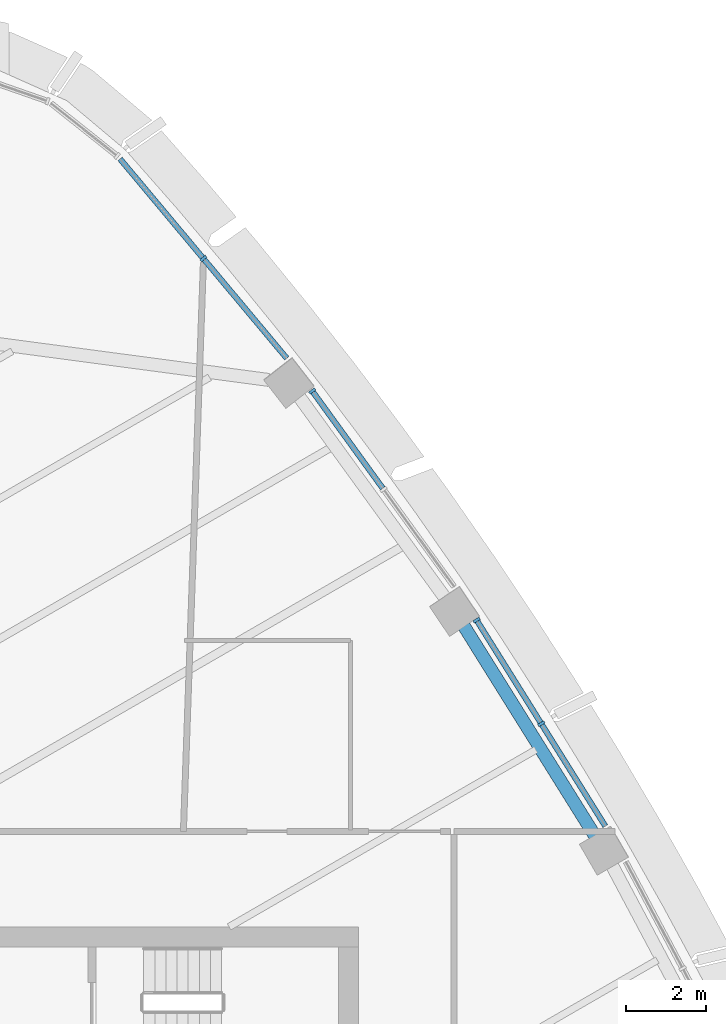
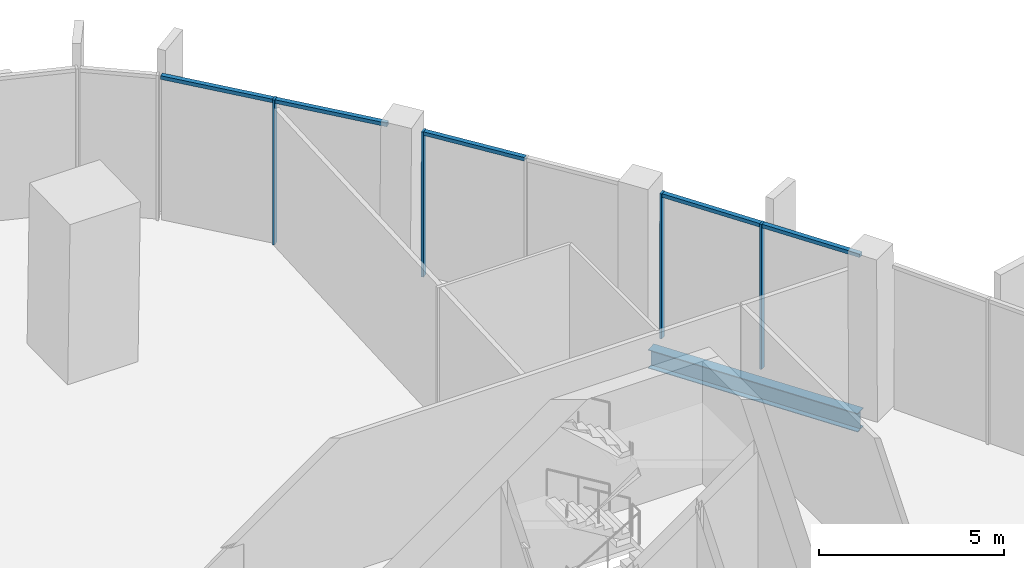
# One storey, part 6 of 19: 9 members, 1 beam, 3 elements without a shape of their own.
"""IFC4 building model written with IfcOpenShell, lengths in metres."""

from ifc_helpers import new_model, si_unit, direction, frame, origin, origin_2d, place, context, subcontext, project, spatial, rectangle, i_section, extrude, material, layer, layer_set, material_profile, profile_set, type_object, element, aggregate, save


model = new_model("IFC4")

# Units and contexts
model_context = context("Model", 3, precision=1e-05, world=origin(), true_north=direction((0.0, 1.0)))
body_context = subcontext(model_context, "Body", "Model", "MODEL_VIEW")
ifc_project = project(units=[si_unit("LENGTHUNIT", "METRE"), si_unit("AREAUNIT", "SQUARE_METRE"), si_unit("VOLUMEUNIT", "CUBIC_METRE"), si_unit("PLANEANGLEUNIT", "RADIAN"), si_unit("MASSUNIT", "GRAM", prefix="KILO")], contexts=[model_context])

# Site, building, storey
site_placement = place(None, origin())
site = spatial("IfcSite", under=ifc_project, at=site_placement, CompositionType="ELEMENT")
building_placement = place(site_placement, origin())
building = spatial("IfcBuilding", under=site, at=building_placement, Name="Sierra Prisma Convention Tower", CompositionType="ELEMENT")
storey_placement = place(building_placement, frame((0.0, 0.0, 319.0)))
storey = spatial("IfcBuildingStorey", under=building, at=storey_placement, Name="L73", CompositionType="ELEMENT", Elevation=319.0)

# Curtain wall, members
ifc_material_1 = material(Name="Aluminium and glass curtain wall", Category="aluminium")
ifc_layer = layer(ifc_material_1, 0.179931640625)
ifc_layer_set = layer_set([ifc_layer], Name="CW-1 Plain shaft curtain wall")
curtain_wall_type = type_object("IfcCurtainWallType", Name="CW-1 Plain shaft curtain wall", PredefinedType="NOTDEFINED", material=ifc_layer_set)
curtain_wall_1_placement = place(storey_placement, origin())
curtain_wall_1 = element("IfcCurtainWall", 1, at=curtain_wall_1_placement, inside=storey, type_object=curtain_wall_type, Name="CW-1 NE4 L73", PredefinedType="NOTDEFINED")
ifc_material_2 = material(Name="Aluminium 6063-T6 bronze anodised", Category="aluminium")
ifc_material_profile_1 = material_profile(ifc_material_2, rectangle(XDim=0.179931640625, YDim=0.070068359375, at=origin_2d()), Name="ALU MULLION 70x180")
ifc_profile_set_1 = profile_set([ifc_material_profile_1], Name="Aluminium 6063-T6 bronze anodised")
member_type_1 = type_object("IfcMemberType", Name="CW mullion bronze", PredefinedType="MULLION", material=ifc_profile_set_1)
member_1_placement = place(storey_placement, frame((15.599609375, 13.109130859375, 0.0), z_axis=(0.0, 0.0, 1.0), x_axis=(-0.848233000795, -0.529623240013, 0.0)))
member_1 = element("IfcMember", 2, at=member_1_placement, type_object=member_type_1, Name="CW-1 mullion NE4.2", PredefinedType="MULLION", context=body_context, shape_type="SweptSolid", body=[
    extrude(rectangle(XDim=0.179931640625, YDim=0.070068359375, at=origin_2d()), origin(), (0.0, 0.0, 1.0), 4.800048828125),
])
member_2_placement = place(storey_placement, frame((13.9736328125, 15.71337890625, 0.0), z_axis=(0.0, 0.0, 1.0), x_axis=(-0.848233000795, -0.529623240013, 0.0)))
member_2 = element("IfcMember", 3, at=member_2_placement, type_object=member_type_1, Name="CW-1 mullion NE4.3", PredefinedType="MULLION", context=body_context, shape_type="SweptSolid", body=[
    extrude(rectangle(XDim=0.179931640625, YDim=0.070068359375, at=origin_2d()), origin(), (0.0, 0.0, 1.0), 4.800048828125),
])

# Curtain wall, member
curtain_wall_2_placement = place(storey_placement, origin())
curtain_wall_2 = element("IfcCurtainWall", 4, at=curtain_wall_2_placement, inside=storey, type_object=curtain_wall_type, Name="CW-1 NE5 L73", PredefinedType="NOTDEFINED")
member_3_placement = place(storey_placement, frame((9.839599609375, 21.474609375, 0.0), z_axis=(0.0, 0.0, 1.0), x_axis=(-0.80963201009, -0.586937823145, 0.0)))
member_3 = element("IfcMember", 5, at=member_3_placement, type_object=member_type_1, Name="CW-1 mullion NE5.3", PredefinedType="MULLION", context=body_context, shape_type="SweptSolid", body=[
    extrude(rectangle(XDim=0.179931640625, YDim=0.070068359375, at=origin_2d()), origin(), (0.0, 0.0, 1.0), 4.800048828125),
])

curtain_wall_3_placement = place(storey_placement, origin())
curtain_wall_3 = element("IfcCurtainWall", 6, at=curtain_wall_3_placement, inside=storey, type_object=curtain_wall_type, Name="CW-1 NE6 L73", PredefinedType="NOTDEFINED")
member_4_placement = place(storey_placement, frame((7.101806640625, 24.8056640625, 0.0), z_axis=(0.0, 0.0, 1.0), x_axis=(-0.767165028207, -0.641449779403, 0.0)))
member_4 = element("IfcMember", 7, at=member_4_placement, type_object=member_type_1, Name="CW-1 mullion NE6.2", PredefinedType="MULLION", context=body_context, shape_type="SweptSolid", body=[
    extrude(rectangle(XDim=0.179931640625, YDim=0.070068359375, at=origin_2d()), origin(), (0.0, 0.0, 1.0), 4.800048828125),
])

# Member
ifc_material_3 = material(Name="Aluminium 6063-T6 bronze anodised", Category="aluminium")
ifc_material_profile_2 = material_profile(ifc_material_3, rectangle(XDim=0.139892578125, YDim=0.1201171875, at=origin_2d()), Name="ALU TRANSOM 120x140")
ifc_profile_set_2 = profile_set([ifc_material_profile_2], Name="Aluminium 6063-T6 bronze anodised")
member_type_2 = type_object("IfcMemberType", Name="CW transom bronze", PredefinedType="USERDEFINED", material=ifc_profile_set_2)
member_5_placement = place(storey_placement, frame((17.207275390625, 10.53466796875, 4.739990234375), z_axis=(-0.529647808083, 0.848217660387, 0.0), x_axis=(-0.848217660387, -0.529647808083, 0.0)))
member_5 = element("IfcMember", 8, at=member_5_placement, type_object=member_type_2, Name="CW-1 transom NE4.1", ObjectType="TRANSOM", PredefinedType="USERDEFINED", context=body_context, shape_type="SweptSolid", body=[
    extrude(rectangle(XDim=0.139892578125, YDim=0.1201171875, at=origin_2d()), origin(), (0.0, 0.0, 1.0), 3.000244140625),
])

member_6_placement = place(storey_placement, frame((15.5810546875, 13.138916015625, 4.739990234375), z_axis=(-0.529589259606, 0.848254216677, 0.0), x_axis=(-0.848254216677, -0.529589259606, 0.0)))
member_6 = element("IfcMember", 9, at=member_6_placement, type_object=member_type_2, Name="CW-1 transom NE4.2", ObjectType="TRANSOM", PredefinedType="USERDEFINED", context=body_context, shape_type="SweptSolid", body=[
    extrude(rectangle(XDim=0.139892578125, YDim=0.1201171875, at=origin_2d()), origin(), (0.0, 0.0, 1.0), 3.000244140625),
])

aggregate(curtain_wall_1, [member_1, member_2, member_5, member_6])

member_7_placement = place(storey_placement, frame((11.612060546875, 19.029296875, 4.739990234375), z_axis=(-0.586887157533, 0.8096687374, 0.0), x_axis=(-0.8096687374, -0.586887157533, 0.0)))
member_7 = element("IfcMember", 10, at=member_7_placement, type_object=member_type_2, Name="CW-1 transom NE5.2", ObjectType="TRANSOM", PredefinedType="USERDEFINED", context=body_context, shape_type="SweptSolid", body=[
    extrude(rectangle(XDim=0.139892578125, YDim=0.1201171875, at=origin_2d()), origin(), (0.0, 0.0, 1.0), 2.985107421875),
])

aggregate(curtain_wall_2, [member_3, member_7])

member_8_placement = place(storey_placement, frame((9.19677734375, 22.300048828125, 4.739990234375), z_axis=(-0.641439595197, 0.767173543413, 0.0), x_axis=(-0.767173543413, -0.641439595197, 0.0)))
member_8 = element("IfcMember", 11, at=member_8_placement, type_object=member_type_2, Name="CW-1 transom NE6.1", ObjectType="TRANSOM", PredefinedType="USERDEFINED", context=body_context, shape_type="SweptSolid", body=[
    extrude(rectangle(XDim=0.139892578125, YDim=0.1201171875, at=origin_2d()), origin(), (0.0, 0.0, 1.0), 3.23095703125),
])

member_9_placement = place(storey_placement, frame((7.079345703125, 24.83251953125, 4.739990234375), z_axis=(-0.641439595197, 0.767173543413, 0.0), x_axis=(-0.767173543413, -0.641439595197, 0.0)))
member_9 = element("IfcMember", 12, at=member_9_placement, type_object=member_type_2, Name="CW-1 transom NE6.2", ObjectType="TRANSOM", PredefinedType="USERDEFINED", context=body_context, shape_type="SweptSolid", body=[
    extrude(rectangle(XDim=0.139892578125, YDim=0.1201171875, at=origin_2d()), origin(), (0.0, 0.0, 1.0), 3.23095703125),
])

aggregate(curtain_wall_3, [member_4, member_8, member_9])

# Beam
ifc_material_4 = material(Name="Steel ASTM A992 Gr 50", Category="steel")
ifc_material_profile_3 = material_profile(ifc_material_4, i_section(OverallWidth=0.324951171875, OverallDepth=0.615966796875, WebThickness=0.013916015625, FlangeThickness=0.021484375, at=origin_2d()), Name="W610x174")
ifc_profile_set_3 = profile_set([ifc_material_profile_3], Name="Steel ASTM A992 Gr 50")
beam_type = type_object("IfcBeamType", Name="Spandrel beam W610x174", PredefinedType="BEAM", material=ifc_profile_set_3)
beam_placement = place(storey_placement, frame((17.004638671875, 10.19873046875, -0.4580078125), z_axis=(-0.529623898518, 0.848232589635, 0.0), x_axis=(-0.848232589635, -0.529623898518, 0.0)))
element("IfcBeam", 13, at=beam_placement, inside=storey, type_object=beam_type, Name="Spandrel L73-10", PredefinedType="BEAM", context=body_context, shape_type="SweptSolid", body=[
    extrude(i_section(OverallWidth=0.324951171875, OverallDepth=0.615966796875, WebThickness=0.013916015625, FlangeThickness=0.021484375, at=origin_2d()), origin(), (0.0, 0.0, 1.0), 6.4375),
])

save(model, "model.ifc")
